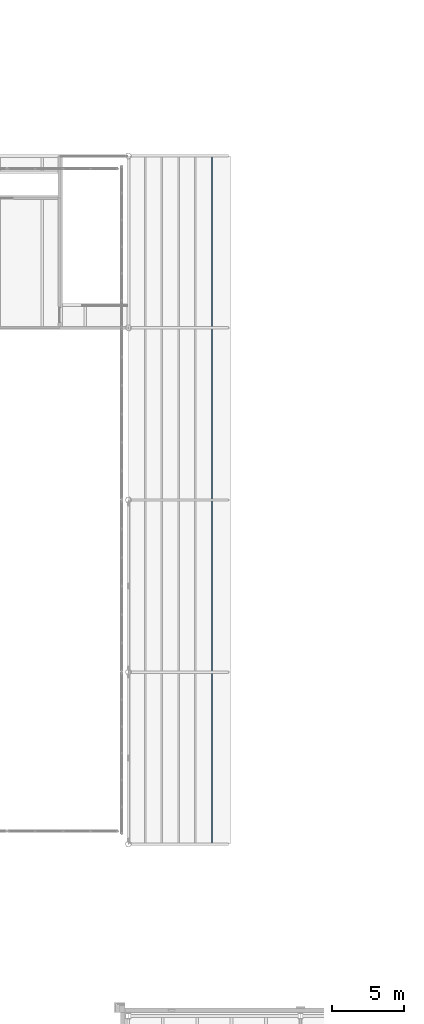
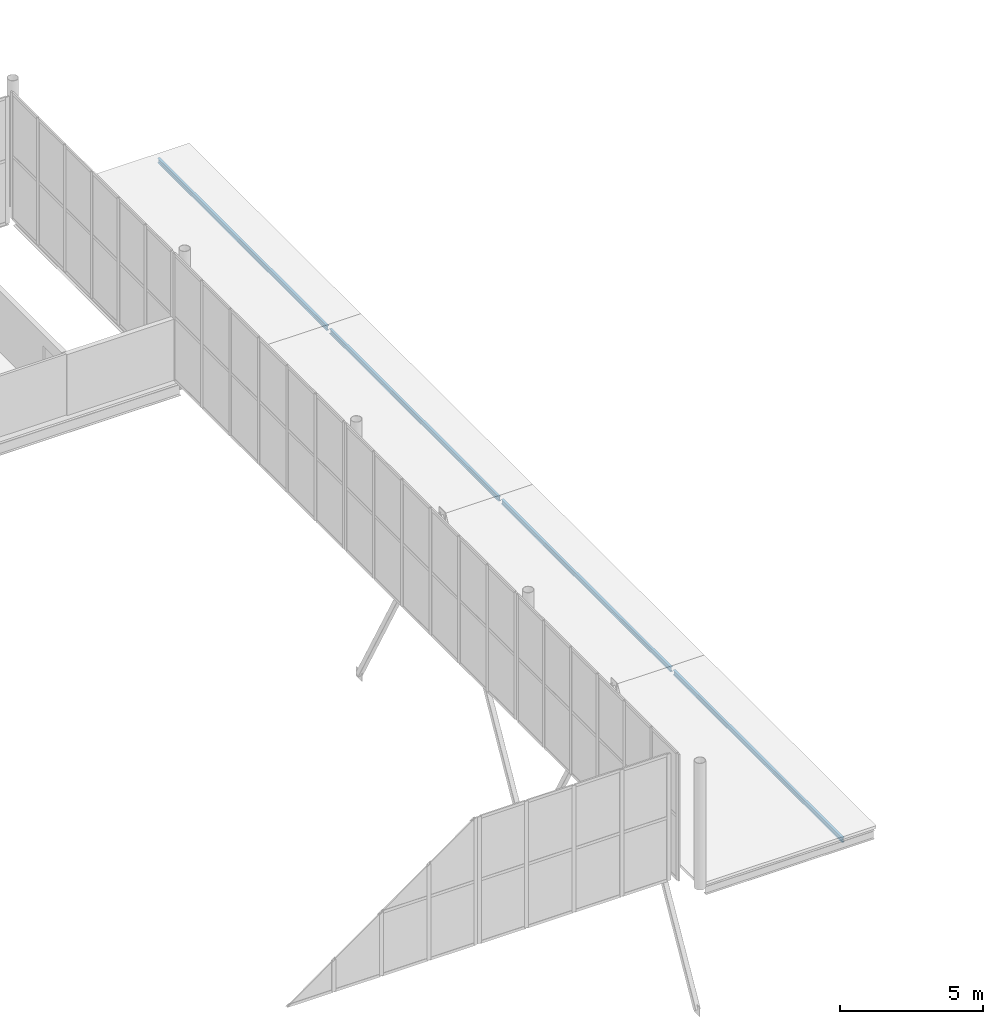
# One storey, part 61 of 170: 4 members.
"""IFC4 building model written with IfcOpenShell, lengths in metres."""

from ifc_helpers import new_model, si_unit, direction, frame, origin, origin_2d, place, context, subcontext, project, spatial, i_section, extrude, material, material_profile, profile_set, type_object, element, save


model = new_model("IFC4")

# Units and contexts
model_context = context("Model", 3, precision=1e-05, world=origin(), true_north=direction((0.0, 1.0)))
body_context = subcontext(model_context, "Body", "Model", "MODEL_VIEW")
ifc_project = project(units=[si_unit("LENGTHUNIT", "METRE"), si_unit("AREAUNIT", "SQUARE_METRE"), si_unit("VOLUMEUNIT", "CUBIC_METRE"), si_unit("PLANEANGLEUNIT", "RADIAN"), si_unit("MASSUNIT", "GRAM", prefix="KILO")], contexts=[model_context])

# Site, building, storey
site_placement = place(None, origin())
site = spatial("IfcSite", under=ifc_project, at=site_placement, CompositionType="ELEMENT")
building_placement = place(site_placement, origin())
building = spatial("IfcBuilding", under=site, at=building_placement, Name="Ravi Spectrum Wholesale Market", CompositionType="ELEMENT")
storey_placement = place(building_placement, frame((0.0, 0.0, 5.39990234375)))
storey = spatial("IfcBuildingStorey", under=building, at=storey_placement, Name="L01", CompositionType="ELEMENT", Elevation=5.39990234375)

# Members
ifc_material = material(Name="Steel S355", Category="steel")
ifc_material_profile = material_profile(ifc_material, i_section(OverallWidth=0.10009765625, OverallDepth=0.199951171875, WebThickness=0.005615234375, FlangeThickness=0.008544921875, at=origin_2d()))
ifc_profile_set = profile_set([ifc_material_profile], Name="Steel S355")
member_type = type_object("IfcMemberType", Name="IPE 200 purlin", PredefinedType="PURLIN", material=ifc_profile_set)
for number, where, z_axis, x_axis, name in (
    (1, (203.833251953125, 78.0849609375, -0.099853515625), (0.0, 1.0, 0.0), (-1.0, 0.0, 0.0), "H2-MB-L01-013"),
    (2, (203.833251953125, 90.0849609375, -0.099853515625), (0.0, 1.0, 0.0), (-1.0, 0.0, 0.0), "H2-MB-L01-018"),
    (3, (203.833251953125, 102.0849609375, -0.099853515625), (0.0, 1.0, 0.0), (-1.0, 0.0, 0.0), "H2-MB-L01-023"),
    (4, (203.833251953125, 114.0849609375, -0.099853515625), (0.0, 1.0, 0.0), (-1.0, 0.0, 0.0), "H2-MB-L01-028"),
):
    element("IfcMember", number, at=place(storey_placement, frame(where, z_axis=z_axis, x_axis=x_axis)), inside=storey, type_object=member_type, Name=name, PredefinedType="PURLIN", context=body_context, shape_type="SweptSolid", body=[
        extrude(i_section(OverallWidth=0.10009765625, OverallDepth=0.199951171875, WebThickness=0.005615234375, FlangeThickness=0.008544921875, at=origin_2d()), origin(), (0.0, 0.0, 1.0), 11.830078125),
    ])

save(model, "model.ifc")
